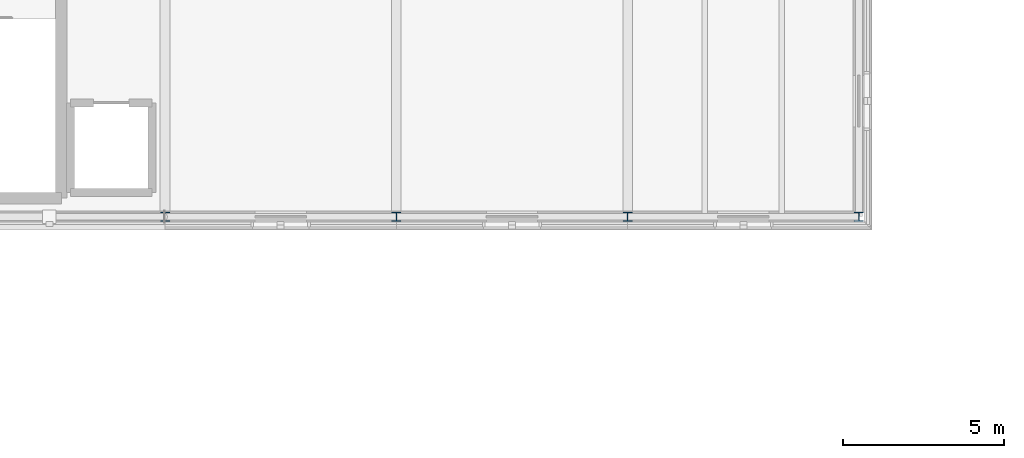
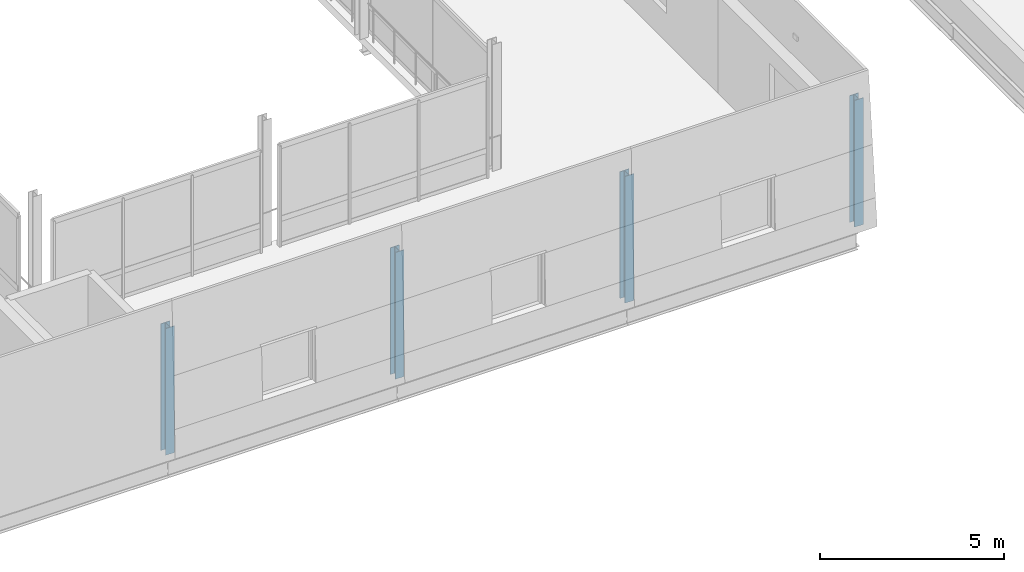
# One storey, part 2 of 66: 4 columns.
"""IFC4 building model written with IfcOpenShell, lengths in metres."""

from ifc_helpers import new_model, si_unit, direction, frame, origin, origin_2d, place, context, subcontext, project, spatial, i_section, extrude, material, material_profile, profile_set, type_object, element, save


model = new_model("IFC4")

# Units and contexts
model_context = context("Model", 3, precision=1e-05, world=origin(), true_north=direction((0.0, 1.0)))
body_context = subcontext(model_context, "Body", "Model", "MODEL_VIEW")
ifc_project = project(units=[si_unit("LENGTHUNIT", "METRE"), si_unit("AREAUNIT", "SQUARE_METRE"), si_unit("VOLUMEUNIT", "CUBIC_METRE"), si_unit("PLANEANGLEUNIT", "RADIAN"), si_unit("MASSUNIT", "GRAM", prefix="KILO")], contexts=[model_context])

# Site, building, storey
site_placement = place(None, origin())
site = spatial("IfcSite", under=ifc_project, at=site_placement, CompositionType="ELEMENT")
building_placement = place(site_placement, origin())
building = spatial("IfcBuilding", under=site, at=building_placement, Name="Narikvali Park Central Library", CompositionType="ELEMENT")
storey_placement = place(building_placement, frame((0.0, 0.0, 18.60009765625)))
storey = spatial("IfcBuildingStorey", under=building, at=storey_placement, Name="L04", CompositionType="ELEMENT", Elevation=18.60009765625)

# Columns
ifc_material = material(Name="Steel S355", Category="steel")
ifc_material_profile = material_profile(ifc_material, i_section(OverallWidth=0.280029296875, OverallDepth=0.280029296875, WebThickness=0.010498046875, FlangeThickness=0.01806640625, FilletRadius=0.02392578125, at=origin_2d()), Name="HEB 280")
ifc_profile_set = profile_set([ifc_material_profile], Name="Steel S355")
column_type = type_object("IfcColumnType", Name="Steel Column HEB280", PredefinedType="COLUMN", material=ifc_profile_set)
for number, where, z_axis, x_axis, name in (
    (1, (36.0, 57.60009765625, 0.0), (0.0, 0.0, 1.0), (1.0, 0.0, 0.0), "V4 L04 Column (36.0,57.6)"),
    (2, (43.199951171875, 57.60009765625, 0.0), (0.0, 0.0, 1.0), (1.0, 0.0, 0.0), "V4 L04 Column (43.2,57.6)"),
    (3, (50.39990234375, 57.60009765625, 0.0), (0.0, 0.0, 1.0), (1.0, 0.0, 0.0), "V4 L04 Column (50.4,57.6)"),
    (4, (57.60009765625, 57.60009765625, 0.0), (0.0, 0.0, 1.0), (1.0, 0.0, 0.0), "V4 L04 Column (57.6,57.6)"),
):
    element("IfcColumn", number, at=place(storey_placement, frame(where, z_axis=z_axis, x_axis=x_axis)), inside=storey, type_object=column_type, Name=name, PredefinedType="COLUMN", context=body_context, shape_type="SweptSolid", body=[
        extrude(i_section(OverallWidth=0.280029296875, OverallDepth=0.280029296875, WebThickness=0.010498046875, FlangeThickness=0.01806640625, FilletRadius=0.02392578125, at=origin_2d()), origin(), (0.0, 0.0, 1.0), 4.199951171875),
    ])

save(model, "model.ifc")
